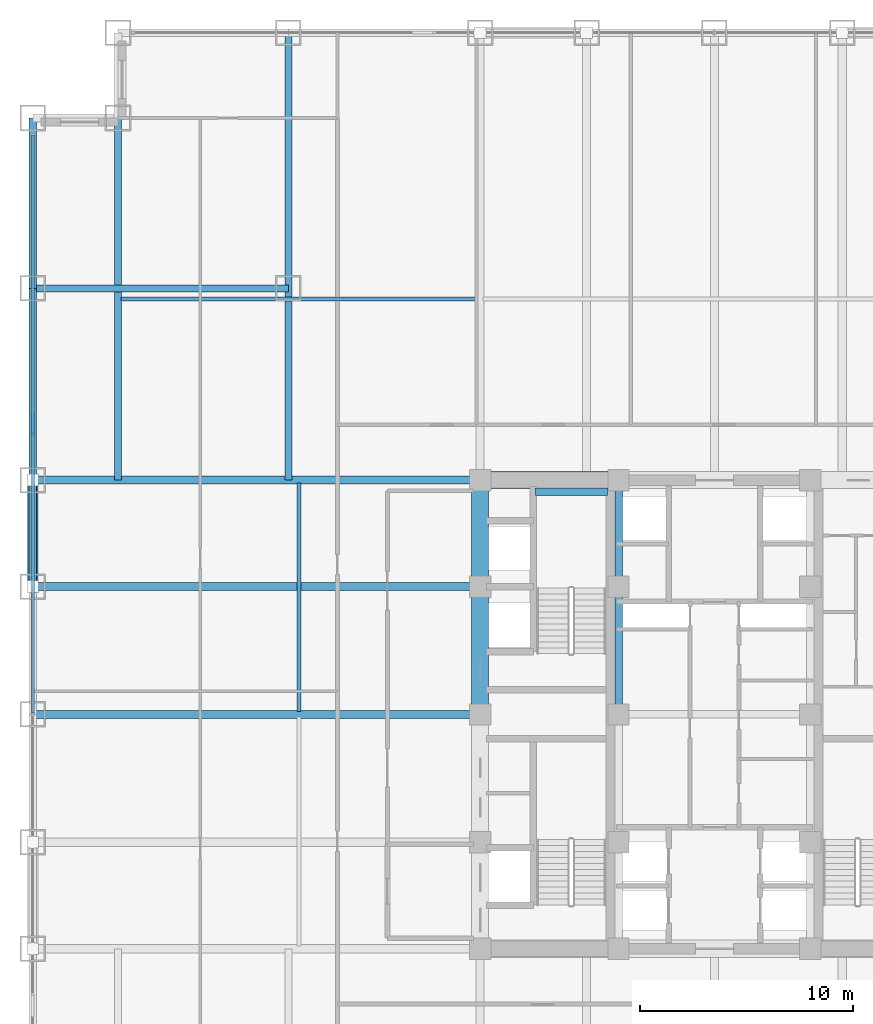
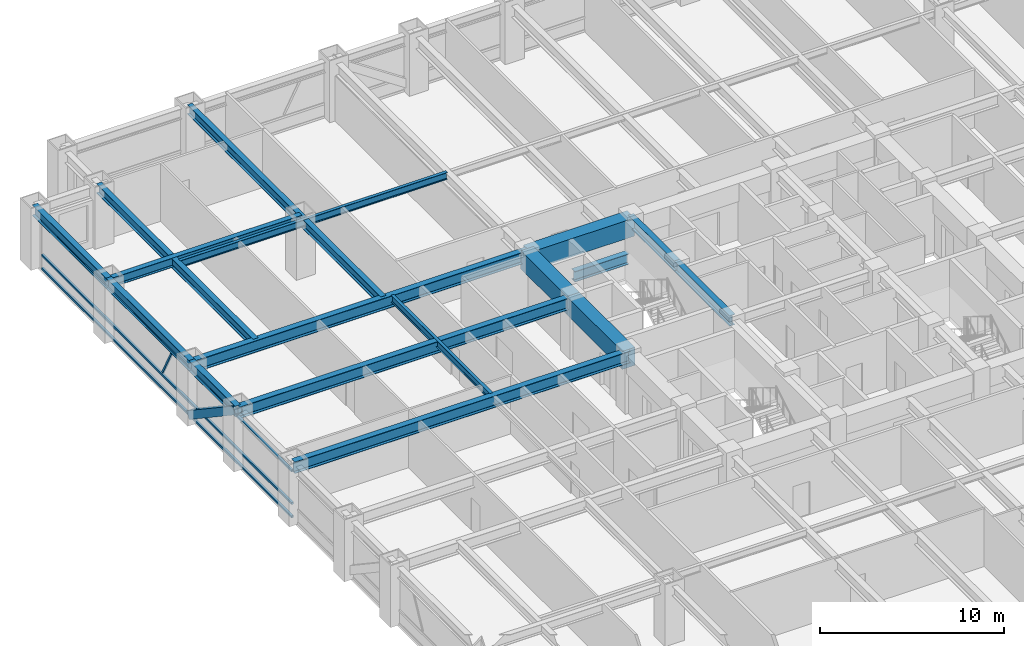
# One storey, part 9 of 27: 17 beams, 5 members, 1 element without a shape of its own.
"""IFC4 building model written with IfcOpenShell, lengths in metres."""

from ifc_helpers import new_model, si_unit, direction, frame, origin, origin_2d, place, context, subcontext, project, spatial, rectangle, hollow_rectangle, i_section, extrude, source, transform, mapped, material, material_profile, profile_set, type_object, element, aggregate, save


model = new_model("IFC4")

# Units and contexts
model_context = context("Model", 3, precision=1e-05, world=origin(), true_north=direction((0.0, 1.0)))
body_context = subcontext(model_context, "Body", "Model", "MODEL_VIEW")
ifc_project = project(units=[si_unit("LENGTHUNIT", "METRE"), si_unit("AREAUNIT", "SQUARE_METRE"), si_unit("VOLUMEUNIT", "CUBIC_METRE"), si_unit("PLANEANGLEUNIT", "RADIAN"), si_unit("MASSUNIT", "GRAM", prefix="KILO")], contexts=[model_context])

# Site, building, storey
site_placement = place(None, origin())
site = spatial("IfcSite", under=ifc_project, at=site_placement, CompositionType="ELEMENT")
building_placement = place(site_placement, origin())
building = spatial("IfcBuilding", under=site, at=building_placement, Name="Khorayat Bourse Tower", CompositionType="ELEMENT")
storey_placement = place(building_placement, frame((0.0, 0.0, 140.60009765625)))
storey = spatial("IfcBuildingStorey", under=building, at=storey_placement, Name="L32", CompositionType="ELEMENT", Elevation=140.60009765625)

# Beams
ifc_material_1 = material(Name="Concrete C72/90", Category="concrete")
ifc_material_profile_1 = material_profile(ifc_material_1, rectangle(XDim=0.800048828125, YDim=1.199951171875, at=origin_2d()), Name="RC 800x1200")
ifc_profile_set_1 = profile_set([ifc_material_profile_1], Name="Concrete C72/90")
beam_type_1 = type_object("IfcBeamType", Name="BM-COUP-1200", PredefinedType="BEAM", material=ifc_profile_set_1)
shared_shape_1 = source(origin(), body_context, "Body", "SweptSolid", [
    extrude(rectangle(XDim=0.800048828125, YDim=1.199951171875, at=origin_2d()), origin(), (0.0, 0.0, 1.0), 5.0),
])
beam_1_placement = place(storey_placement, frame((-11.0, 6.0, 3.239990234375), z_axis=(0.0, 1.0, 0.0), x_axis=(-1.0, 0.0, 0.0)))
element("IfcBeam", 1, at=beam_1_placement, inside=storey, type_object=beam_type_1, Name="L32 BM-COUP-1200 BM-L32-CRX-04", PredefinedType="BEAM", context=body_context, shape_type="MappedRepresentation", body=[
    mapped(shared_shape_1, transform((0.0, 0.0, 0.0), scale=1.0)),
])
shared_shape_2 = source(origin(), body_context, "Body", "SweptSolid", [
    extrude(rectangle(XDim=0.800048828125, YDim=1.199951171875, at=origin_2d()), origin(), (0.0, 0.0, 1.0), 6.0),
])
beam_2_placement = place(storey_placement, frame((-11.0, 0.0, 3.239990234375), z_axis=(0.0, 1.0, 0.0), x_axis=(-1.0, 0.0, 0.0)))
element("IfcBeam", 2, at=beam_2_placement, inside=storey, type_object=beam_type_1, Name="L32 BM-COUP-1200 BM-L32-CRX-03", PredefinedType="BEAM", context=body_context, shape_type="MappedRepresentation", body=[
    mapped(shared_shape_2, transform((0.0, 0.0, 0.0), scale=1.0)),
])
ifc_material_2 = material(Name="Steel ASTM A992 Grade 50", Category="steel")
ifc_material_profile_2 = material_profile(ifc_material_2, i_section(OverallWidth=0.35498046875, OverallDepth=0.695068359375, WebThickness=0.015380859375, FlangeThickness=0.02490234375, FilletRadius=0.01806640625, at=origin_2d()), Name="W690X217")
ifc_profile_set_2 = profile_set([ifc_material_profile_2], Name="Steel ASTM A992 Grade 50")
beam_type_2 = type_object("IfcBeamType", Name="BM-GIRD-690", PredefinedType="BEAM", material=ifc_profile_set_2)
shared_shape_3 = source(origin(), body_context, "Body", "SweptSolid", [
    extrude(i_section(OverallWidth=0.35498046875, OverallDepth=0.695068359375, WebThickness=0.015380859375, FlangeThickness=0.02490234375, FilletRadius=0.01806640625, at=origin_2d()), origin(), (0.0, 0.0, 1.0), 5.0),
])
beam_3_placement = place(storey_placement, frame((-4.5, 6.0, 3.492431640625), z_axis=(0.0, 1.0, 0.0), x_axis=(-1.0, 0.0, 0.0)))
element("IfcBeam", 3, at=beam_3_placement, inside=storey, type_object=beam_type_2, Name="L32 BM-GIRD-690 BM-L32-CRX-08", PredefinedType="BEAM", context=body_context, shape_type="MappedRepresentation", body=[
    mapped(shared_shape_3, transform((0.0, 0.0, 0.0), scale=1.0)),
])
shared_shape_4 = source(origin(), body_context, "Body", "SweptSolid", [
    extrude(i_section(OverallWidth=0.35498046875, OverallDepth=0.695068359375, WebThickness=0.015380859375, FlangeThickness=0.02490234375, FilletRadius=0.01806640625, at=origin_2d()), origin(), (0.0, 0.0, 1.0), 6.0),
])
beam_4_placement = place(storey_placement, frame((-4.5, 0.0, 3.492431640625), z_axis=(0.0, 1.0, 0.0), x_axis=(-1.0, 0.0, 0.0)))
element("IfcBeam", 4, at=beam_4_placement, inside=storey, type_object=beam_type_2, Name="L32 BM-GIRD-690 BM-L32-CRX-07", PredefinedType="BEAM", context=body_context, shape_type="MappedRepresentation", body=[
    mapped(shared_shape_4, transform((0.0, 0.0, 0.0), scale=1.0)),
])
shared_shape_5 = source(origin(), body_context, "Body", "SweptSolid", [
    extrude(rectangle(XDim=0.800048828125, YDim=1.199951171875, at=origin_2d()), origin(), (0.0, 0.0, 1.0), 6.5),
])
beam_5_placement = place(storey_placement, frame((-11.0, 11.0, 3.239990234375), z_axis=(1.0, 0.0, 0.0), x_axis=(0.0, 1.0, 0.0)))
element("IfcBeam", 5, at=beam_5_placement, inside=storey, type_object=beam_type_1, Name="L32 BM-COUP-1200 BM-L32-CRY-20", PredefinedType="BEAM", context=body_context, shape_type="MappedRepresentation", body=[
    mapped(shared_shape_5, transform((0.0, 0.0, 0.0), scale=1.0)),
])
shared_shape_6 = source(origin(), body_context, "Body", "SweptSolid", [
    extrude(i_section(OverallWidth=0.35498046875, OverallDepth=0.695068359375, WebThickness=0.015380859375, FlangeThickness=0.02490234375, FilletRadius=0.01806640625, at=origin_2d()), origin(), (0.0, 0.0, 1.0), 3.39990234375),
])
beam_6_placement = place(storey_placement, frame((-8.419921875, 10.449951171875, 1.50244140625), z_axis=(1.0, 0.0, 0.0), x_axis=(0.0, 1.0, 0.0)))
element("IfcBeam", 6, at=beam_6_placement, inside=storey, type_object=beam_type_2, Name="L32 BM-GIRD-690 BM-L32-ST2L", PredefinedType="BEAM", context=body_context, shape_type="MappedRepresentation", body=[
    mapped(shared_shape_6, transform((0.0, 0.0, 0.0), scale=1.0)),
])
ifc_material_profile_3 = material_profile(ifc_material_2, i_section(OverallWidth=0.35498046875, OverallDepth=0.695068359375, WebThickness=0.015380859375, FlangeThickness=0.02490234375, FilletRadius=0.01806640625, at=origin_2d()), Name="W690X217")
ifc_profile_set_3 = profile_set([ifc_material_profile_3], Name="Steel ASTM A992 Grade 50")
beam_type_3 = type_object("IfcBeamType", Name="BM-SPAN-690", PredefinedType="SPANDREL", material=ifc_profile_set_3)
shared_shape_7 = source(origin(), body_context, "Body", "SweptSolid", [
    extrude(i_section(OverallWidth=0.35498046875, OverallDepth=0.695068359375, WebThickness=0.015380859375, FlangeThickness=0.02490234375, FilletRadius=0.01806640625, at=origin_2d()), origin(), (0.0, 0.0, 1.0), 9.0),
])
beam_7_placement = place(storey_placement, frame((-32.0, 11.0, 3.492431640625), z_axis=(0.0, 1.0, 0.0), x_axis=(-1.0, 0.0, 0.0)))
element("IfcBeam", 7, at=beam_7_placement, inside=storey, type_object=beam_type_3, Name="L32 BM-SPAN-690 BM-L32-SPN-055", PredefinedType="SPANDREL", context=body_context, shape_type="MappedRepresentation", body=[
    mapped(shared_shape_7, transform((0.0, 0.0, 0.0), scale=1.0)),
])
shared_shape_8 = source(origin(), body_context, "Body", "SweptSolid", [
    extrude(i_section(OverallWidth=0.35498046875, OverallDepth=0.695068359375, WebThickness=0.015380859375, FlangeThickness=0.02490234375, FilletRadius=0.01806640625, at=origin_2d()), origin(), (0.0, 0.0, 1.0), 5.0),
])
beam_8_placement = place(storey_placement, frame((-32.0, 6.0, 3.492431640625), z_axis=(0.0, 1.0, 0.0), x_axis=(-1.0, 0.0, 0.0)))
element("IfcBeam", 8, at=beam_8_placement, inside=storey, type_object=beam_type_3, Name="L32 BM-SPAN-690 BM-L32-SPN-056", PredefinedType="SPANDREL", context=body_context, shape_type="MappedRepresentation", body=[
    mapped(shared_shape_8, transform((0.0, 0.0, 0.0), scale=1.0)),
])
ifc_material_profile_4 = material_profile(ifc_material_2, i_section(OverallWidth=0.324951171875, OverallDepth=0.615966796875, WebThickness=0.013916015625, FlangeThickness=0.021484375, FilletRadius=0.01611328125, at=origin_2d()), Name="W610X174")
ifc_profile_set_4 = profile_set([ifc_material_profile_4], Name="Steel ASTM A992 Grade 50")
beam_type_4 = type_object("IfcBeamType", Name="BM-GIRD-610", PredefinedType="BEAM", material=ifc_profile_set_4)
shared_shape_9 = source(origin(), body_context, "Body", "SweptSolid", [
    extrude(i_section(OverallWidth=0.324951171875, OverallDepth=0.615966796875, WebThickness=0.013916015625, FlangeThickness=0.021484375, FilletRadius=0.01611328125, at=origin_2d()), origin(), (0.0, 0.0, 1.0), 21.0),
])
beam_9_placement = place(storey_placement, frame((-20.0, 11.0, 3.531982421875), z_axis=(0.0, 1.0, 0.0), x_axis=(-1.0, 0.0, 0.0)))
element("IfcBeam", 9, at=beam_9_placement, inside=storey, type_object=beam_type_4, Name="L32 BM-GIRD-610 BM-L32-CNRY-085", PredefinedType="BEAM", context=body_context, shape_type="MappedRepresentation", body=[
    mapped(shared_shape_9, transform((0.0, 0.0, 0.0), scale=1.0)),
])
shared_shape_10 = source(origin(), body_context, "Body", "SweptSolid", [
    extrude(i_section(OverallWidth=0.324951171875, OverallDepth=0.615966796875, WebThickness=0.013916015625, FlangeThickness=0.021484375, FilletRadius=0.01611328125, at=origin_2d()), origin(), (0.0, 0.0, 1.0), 12.0),
])
beam_10_placement = place(storey_placement, frame((-32.0, 20.0, 3.531982421875), z_axis=(1.0, 0.0, 0.0), x_axis=(0.0, 1.0, 0.0)))
element("IfcBeam", 10, at=beam_10_placement, inside=storey, type_object=beam_type_4, Name="L32 BM-GIRD-610 BM-L32-CNRX-095", PredefinedType="BEAM", context=body_context, shape_type="MappedRepresentation", body=[
    mapped(shared_shape_10, transform((0.0, 0.0, 0.0), scale=1.0)),
])
ifc_material_profile_5 = material_profile(ifc_material_2, i_section(OverallWidth=0.194091796875, OverallDepth=0.468994140625, WebThickness=0.0126953125, FlangeThickness=0.0205078125, FilletRadius=0.012939453125, at=origin_2d()), Name="W460X106")
ifc_profile_set_5 = profile_set([ifc_material_profile_5], Name="Steel ASTM A992 Grade 50")
beam_type_5 = type_object("IfcBeamType", Name="BM-JOIST-460", PredefinedType="JOIST", material=ifc_profile_set_5)
shared_shape_11 = source(origin(), body_context, "Body", "SweptSolid", [
    extrude(i_section(OverallWidth=0.194091796875, OverallDepth=0.468994140625, WebThickness=0.0126953125, FlangeThickness=0.0205078125, FilletRadius=0.012939453125, at=origin_2d()), origin(), (0.0, 0.0, 1.0), 10.740234375),
])
beam_11_placement = place(storey_placement, frame((-19.5, 0.1298828125, 3.60546875), z_axis=(0.0, 1.0, 0.0), x_axis=(-1.0, 0.0, 0.0)))
element("IfcBeam", 11, at=beam_11_placement, inside=storey, type_object=beam_type_5, Name="L32 BM-JOIST-460 BM-L32-JSTY-103", PredefinedType="JOIST", context=body_context, shape_type="MappedRepresentation", body=[
    mapped(shared_shape_11, transform((0.0, 0.0, 0.0), scale=1.0)),
])
shared_shape_12 = source(origin(), body_context, "Body", "SweptSolid", [
    extrude(i_section(OverallWidth=0.35498046875, OverallDepth=0.695068359375, WebThickness=0.015380859375, FlangeThickness=0.02490234375, FilletRadius=0.01806640625, at=origin_2d()), origin(), (0.0, 0.0, 1.0), 8.0),
])
beam_12_placement = place(storey_placement, frame((-32.0, 20.0, 3.492431640625), z_axis=(0.0, 1.0, 0.0), x_axis=(-1.0, 0.0, 0.0)))
element("IfcBeam", 12, at=beam_12_placement, inside=storey, type_object=beam_type_3, Name="L32 BM-SPAN-690 BM-L32-SPN-054", PredefinedType="SPANDREL", context=body_context, shape_type="MappedRepresentation", body=[
    mapped(shared_shape_12, transform((0.0, 0.0, 0.0), scale=1.0)),
])
ifc_material_profile_6 = material_profile(ifc_material_2, i_section(OverallWidth=0.381103515625, OverallDepth=0.77294921875, WebThickness=0.0166015625, FlangeThickness=0.027587890625, FilletRadius=0.01806640625, at=origin_2d()), Name="W760X257")
ifc_profile_set_6 = profile_set([ifc_material_profile_6], Name="Steel ASTM A992 Grade 50")
beam_type_6 = type_object("IfcBeamType", Name="BM-GIRD-760", PredefinedType="BEAM", material=ifc_profile_set_6)
shared_shape_13 = source(origin(), body_context, "Body", "SweptSolid", [
    extrude(i_section(OverallWidth=0.381103515625, OverallDepth=0.77294921875, WebThickness=0.0166015625, FlangeThickness=0.027587890625, FilletRadius=0.01806640625, at=origin_2d()), origin(), (0.0, 0.0, 1.0), 21.0),
])
for number, where, z_axis, x_axis, name in (
    (13, (-32.0, 0.0, 3.453369140625), (1.0, 0.0, 0.0), (0.0, 1.0, 0.0), "L32 BM-GIRD-760 BM-L32-RADX-079"),
    (14, (-32.0, 6.0, 3.453369140625), (1.0, 0.0, 0.0), (0.0, 1.0, 0.0), "L32 BM-GIRD-760 BM-L32-RADX-081"),
    (15, (-32.0, 11.0, 3.453369140625), (1.0, 0.0, 0.0), (0.0, 1.0, 0.0), "L32 BM-GIRD-760 BM-L32-RADX-083"),
):
    element("IfcBeam", number, at=place(storey_placement, frame(where, z_axis=z_axis, x_axis=x_axis)), inside=storey, type_object=beam_type_6, Name=name, PredefinedType="BEAM", context=body_context, shape_type="MappedRepresentation", body=[
        mapped(shared_shape_13, transform((0.0, 0.0, 0.0), scale=1.0)),
    ])
shared_shape_14 = source(origin(), body_context, "Body", "SweptSolid", [
    extrude(i_section(OverallWidth=0.324951171875, OverallDepth=0.615966796875, WebThickness=0.013916015625, FlangeThickness=0.021484375, FilletRadius=0.01611328125, at=origin_2d()), origin(), (0.0, 0.0, 1.0), 17.0),
])
beam_13_placement = place(storey_placement, frame((-28.0, 11.0, 3.531982421875), z_axis=(0.0, 1.0, 0.0), x_axis=(-1.0, 0.0, 0.0)))
element("IfcBeam", 16, at=beam_13_placement, inside=storey, type_object=beam_type_4, Name="L32 BM-GIRD-610 BM-L32-CNRY-089", PredefinedType="BEAM", context=body_context, shape_type="MappedRepresentation", body=[
    mapped(shared_shape_14, transform((0.0, 0.0, 0.0), scale=1.0)),
])
shared_shape_15 = source(origin(), body_context, "Body", "SweptSolid", [
    extrude(i_section(OverallWidth=0.194091796875, OverallDepth=0.468994140625, WebThickness=0.0126953125, FlangeThickness=0.0205078125, FilletRadius=0.012939453125, at=origin_2d()), origin(), (0.0, 0.0, 1.0), 16.740234375),
])
beam_14_placement = place(storey_placement, frame((-27.8701171875, 19.5, 3.60546875), z_axis=(1.0, 0.0, 0.0), x_axis=(0.0, 1.0, 0.0)))
element("IfcBeam", 17, at=beam_14_placement, inside=storey, type_object=beam_type_5, Name="L32 BM-JOIST-460 BM-L32-JSTX-099", PredefinedType="JOIST", context=body_context, shape_type="MappedRepresentation", body=[
    mapped(shared_shape_15, transform((0.0, 0.0, 0.0), scale=1.0)),
])

# Member
ifc_material_3 = material(Name="Steel EN 10025-4 S460M", Category="steel")
ifc_material_profile_7 = material_profile(ifc_material_3, hollow_rectangle(XDim=0.5, YDim=0.5, WallThickness=0.028076171875, at=origin_2d()), Name="HSS 500x500x28")
ifc_profile_set_7 = profile_set([ifc_material_profile_7], Name="Steel EN 10025-4 S460M")
member_type_1 = type_object("IfcMemberType", Name="MBR-TUBE-500", PredefinedType="BRACE", material=ifc_profile_set_7)
shared_shape_16 = source(origin(), body_context, "Body", "SweptSolid", [
    extrude(hollow_rectangle(XDim=0.5, YDim=0.5, WallThickness=0.028076171875, at=origin_2d()), origin(), (0.0, 0.0, 1.0), 6.012939453125),
])
member_1_placement = place(storey_placement, frame((-32.0, 6.0, 3.58984375), z_axis=(0.0, 0.831550226979, -0.555449565677), x_axis=(-1.0, 0.0, 0.0)))
element("IfcMember", 18, at=member_1_placement, inside=storey, type_object=member_type_1, Name="L32 Perimeter Tube Brace 06", PredefinedType="BRACE", context=body_context, shape_type="MappedRepresentation", body=[
    mapped(shared_shape_16, transform((0.0, 0.0, 0.0), scale=1.0)),
])

# Curtain wall, members
ifc_material_4 = material(Name="Aluminium EN AW-6063 T6", Category="aluminium")
curtain_wall_type = type_object("IfcCurtainWallType", Name="CW-SYS-02", PredefinedType="NOTDEFINED", material=ifc_material_4)
curtain_wall_placement = place(storey_placement, origin())
curtain_wall = element("IfcCurtainWall", 19, at=curtain_wall_placement, inside=storey, type_object=curtain_wall_type, Name="L32 Curtain Wall CW-L32-W1", PredefinedType="NOTDEFINED")
ifc_material_profile_8 = material_profile(ifc_material_4, hollow_rectangle(XDim=0.139892578125, YDim=0.139892578125, WallThickness=0.006103515625, at=origin_2d()), Name="ALU 140x140x6")
ifc_profile_set_8 = profile_set([ifc_material_profile_8], Name="Aluminium EN AW-6063 T6")
member_type_2 = type_object("IfcMemberType", Name="CWT-HORZ-140", PredefinedType="USERDEFINED", material=ifc_profile_set_8)
shared_shape_17 = source(origin(), body_context, "Body", "SweptSolid", [
    extrude(hollow_rectangle(XDim=0.139892578125, YDim=0.139892578125, WallThickness=0.006103515625, at=origin_2d()), origin(), (0.0, 0.0, 1.0), 27.139892578125),
])
member_2_placement = place(storey_placement, frame((-32.0, 0.070068359375, 0.06982421875), z_axis=(0.0, 1.0, 0.0), x_axis=(-1.0, 0.0, 0.0)))
member_2 = element("IfcMember", 20, at=member_2_placement, type_object=member_type_2, Name="CW-L32-W1 Horizontal Transom 2-1", ObjectType="TRANSOM", PredefinedType="USERDEFINED", context=body_context, shape_type="MappedRepresentation", body=[
    mapped(shared_shape_17, transform((0.0, 0.0, 0.0), scale=1.0)),
])
member_3_placement = place(storey_placement, frame((-32.0, 0.070068359375, 0.949951171875), z_axis=(0.0, 1.0, 0.0), x_axis=(-1.0, 0.0, 0.0)))
member_3 = element("IfcMember", 21, at=member_3_placement, type_object=member_type_2, Name="CW-L32-W1 Horizontal Transom 2-2", ObjectType="TRANSOM", PredefinedType="USERDEFINED", context=body_context, shape_type="MappedRepresentation", body=[
    mapped(shared_shape_17, transform((0.0, 0.0, 0.0), scale=1.0)),
])
member_4_placement = place(storey_placement, frame((-32.0, 0.070068359375, 3.119873046875), z_axis=(0.0, 1.0, 0.0), x_axis=(-1.0, 0.0, 0.0)))
member_4 = element("IfcMember", 22, at=member_4_placement, type_object=member_type_2, Name="CW-L32-W1 Horizontal Transom 2-3", ObjectType="TRANSOM", PredefinedType="USERDEFINED", context=body_context, shape_type="MappedRepresentation", body=[
    mapped(shared_shape_17, transform((0.0, 0.0, 0.0), scale=1.0)),
])
ifc_material_profile_9 = material_profile(ifc_material_4, hollow_rectangle(XDim=0.1201171875, YDim=0.1201171875, WallThickness=0.0048828125, at=origin_2d()), Name="ALU 120x120x5")
ifc_profile_set_9 = profile_set([ifc_material_profile_9], Name="Aluminium EN AW-6063 T6")
member_type_3 = type_object("IfcMemberType", Name="CWM-DIAG-120", PredefinedType="MULLION", material=ifc_profile_set_9)
shared_shape_18 = source(origin(), body_context, "Body", "SweptSolid", [
    extrude(hollow_rectangle(XDim=0.1201171875, YDim=0.1201171875, WallThickness=0.0048828125, at=origin_2d()), origin(), (0.0, 0.0, 1.0), 2.11328125),
])
member_5_placement = place(storey_placement, frame((-32.0, 14.132080078125, 1.099853515625), z_axis=(0.0, -0.465694055905, 0.884945787207), x_axis=(1.0, 0.0, 0.0)))
member_5 = element("IfcMember", 23, at=member_5_placement, type_object=member_type_3, Name="CW-L32-W1 Faceted Diagonal Mullion 2", PredefinedType="MULLION", context=body_context, shape_type="MappedRepresentation", body=[
    mapped(shared_shape_18, transform((0.0, 0.0, 0.0), scale=1.0)),
])
aggregate(curtain_wall, [member_2, member_3, member_4, member_5])

save(model, "model.ifc")
